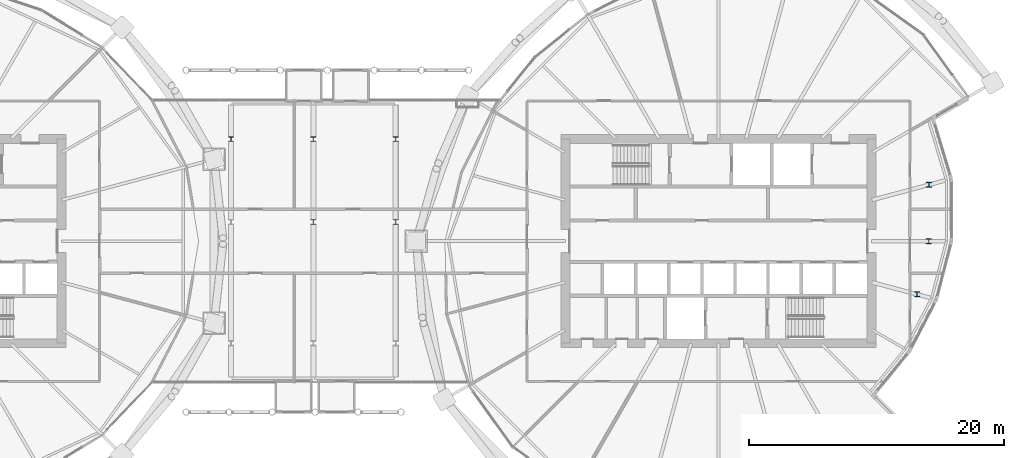
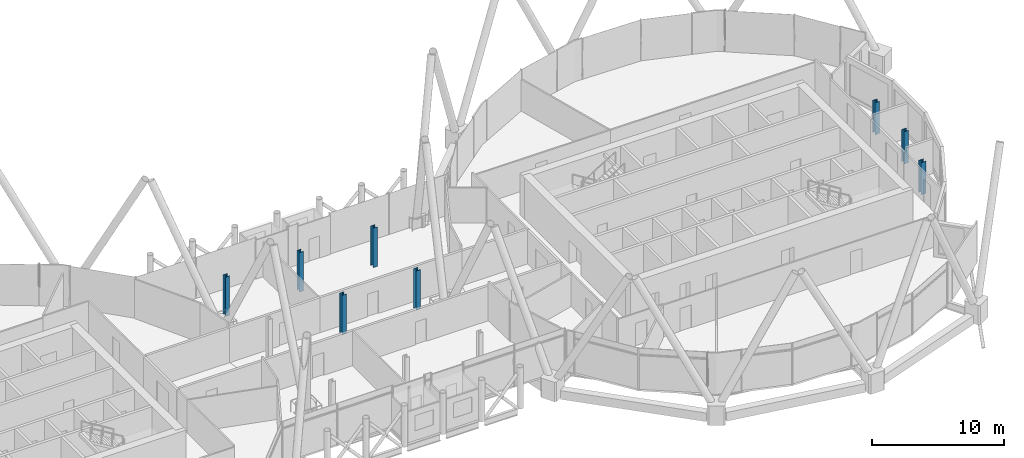
# One storey, part 2 of 35: 8 columns.
"""IFC4 building model written with IfcOpenShell, lengths in metres."""

from ifc_helpers import new_model, si_unit, direction, frame, origin, origin_2d, place, context, subcontext, project, spatial, i_section, extrude, material, material_profile, profile_set, type_object, element, save


model = new_model("IFC4")

# Units and contexts
model_context = context("Model", 3, precision=1e-05, world=origin(), true_north=direction((0.0, 1.0)))
body_context = subcontext(model_context, "Body", "Model", "MODEL_VIEW")
ifc_project = project(units=[si_unit("LENGTHUNIT", "METRE"), si_unit("AREAUNIT", "SQUARE_METRE"), si_unit("VOLUMEUNIT", "CUBIC_METRE"), si_unit("PLANEANGLEUNIT", "RADIAN"), si_unit("MASSUNIT", "GRAM", prefix="KILO")], contexts=[model_context])

# Site, building, storey
site_placement = place(None, origin())
site = spatial("IfcSite", under=ifc_project, at=site_placement, CompositionType="ELEMENT")
building_placement = place(site_placement, origin())
building = spatial("IfcBuilding", under=site, at=building_placement, Name="Rimbun Link Towers", CompositionType="ELEMENT")
storey_placement = place(building_placement, frame((0.0, 0.0, 146.800048828125)))
storey = spatial("IfcBuildingStorey", under=building, at=storey_placement, Name="L35", CompositionType="ELEMENT", Elevation=146.800048828125)

# Columns
ifc_material_1 = material(Name="Steel S355J2", Category="steel")
ifc_material_profile_1 = material_profile(ifc_material_1, i_section(OverallWidth=0.374755859375, OverallDepth=0.37451171875, WebThickness=0.0166015625, FlangeThickness=0.027099609375, at=origin_2d()), Name="UKC 356x368x202")
ifc_profile_set_1 = profile_set([ifc_material_profile_1], Name="Steel S355J2")
column_type_1 = type_object("IfcColumnType", Name="Link column UKC 356x368x202", PredefinedType="COLUMN", material=ifc_profile_set_1)
for number, where, z_axis, x_axis, name in (
    (1, (-6.449951171875, 8.0, 0.0), (0.0, 0.0, 1.0), (1.0, 0.0, 0.0), "Link column L35 3-1"),
    (2, (0.0, 1.5, 0.0), (0.0, 0.0, 1.0), (1.0, 0.0, 0.0), "Link column L35 2-2"),
    (3, (0.0, 8.0, 0.0), (0.0, 0.0, 1.0), (1.0, 0.0, 0.0), "Link column L35 3-2"),
    (4, (6.449951171875, 1.5, 0.0), (0.0, 0.0, 1.0), (1.0, 0.0, 0.0), "Link column L35 2-3"),
    (5, (6.449951171875, 8.0, 0.0), (0.0, 0.0, 1.0), (1.0, 0.0, 0.0), "Link column L35 3-3"),
):
    element("IfcColumn", number, at=place(storey_placement, frame(where, z_axis=z_axis, x_axis=x_axis)), inside=storey, type_object=column_type_1, Name=name, PredefinedType="COLUMN", context=body_context, shape_type="SweptSolid", body=[
        extrude(i_section(OverallWidth=0.374755859375, OverallDepth=0.37451171875, WebThickness=0.0166015625, FlangeThickness=0.027099609375, at=origin_2d()), origin(), (0.0, 0.0, 1.0), 3.639892578125),
    ])
ifc_material_2 = material(Name="Steel S355J2", Category="steel")
ifc_material_profile_2 = material_profile(ifc_material_2, i_section(OverallWidth=0.39892578125, OverallDepth=0.3935546875, WebThickness=0.022705078125, FlangeThickness=0.03662109375, at=origin_2d()), Name="UC 356x406x287")
ifc_profile_set_2 = profile_set([ifc_material_profile_2], Name="Steel S355J2")
column_type_2 = type_object("IfcColumnType", Name="UC 356x406x287", PredefinedType="COLUMN", material=ifc_profile_set_2)
for number, where, z_axis, x_axis, name in (
    (6, (47.317138671875, -4.171142578125, -0.179931640625), (0.0, 0.0, 1.0), (1.0, 0.0, 0.0), "Crease post T2 L35 20"),
    (7, (48.236083984375, 0.0, -0.179931640625), (0.0, 0.0, 1.0), (1.0, 0.0, 0.0), "Crease post T2 L35 21"),
    (8, (48.25146484375, 4.42138671875, -0.179931640625), (0.0, 0.0, 1.0), (1.0, 0.0, 0.0), "Crease post T2 L35 22"),
):
    element("IfcColumn", number, at=place(storey_placement, frame(where, z_axis=z_axis, x_axis=x_axis)), inside=storey, type_object=column_type_2, Name=name, PredefinedType="COLUMN", context=body_context, shape_type="SweptSolid", body=[
        extrude(i_section(OverallWidth=0.39892578125, OverallDepth=0.3935546875, WebThickness=0.022705078125, FlangeThickness=0.03662109375, at=origin_2d()), origin(), (0.0, 0.0, 1.0), 2.959228515625),
    ])

save(model, "model.ifc")
